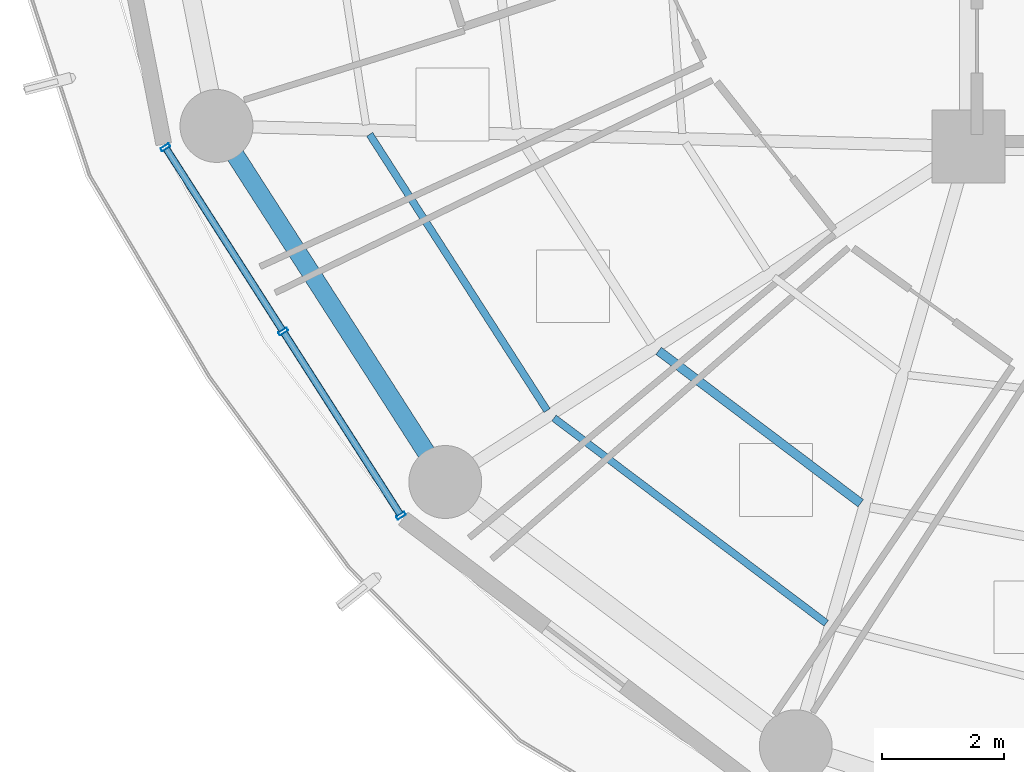
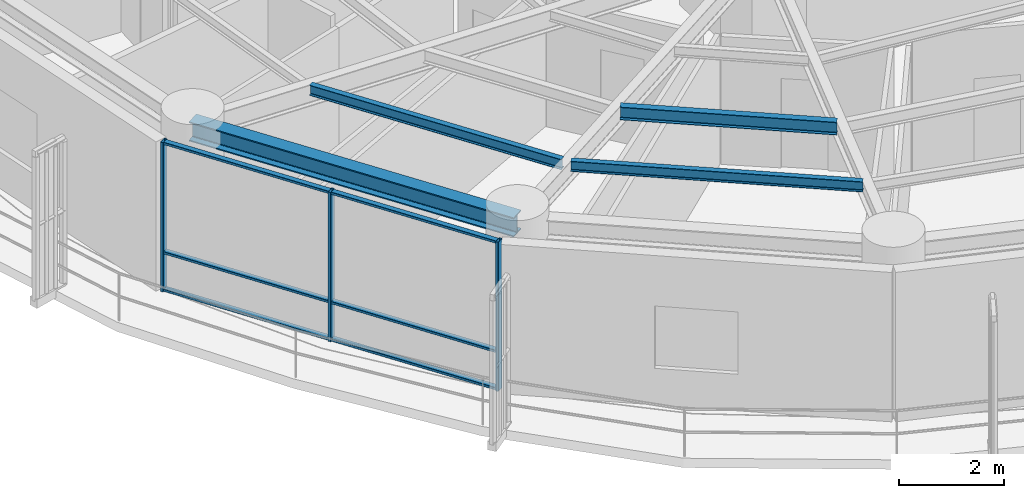
# One storey, part 2 of 28: 9 members, 4 beams, 1 element without a shape of its own.
"""IFC4 building model written with IfcOpenShell, lengths in metres."""

from ifc_helpers import new_model, si_unit, direction, frame, origin, origin_2d, place, context, subcontext, project, spatial, hollow_rectangle, i_section, extrude, material, layer, layer_set, material_profile, profile_set, type_object, element, aggregate, save


model = new_model("IFC4")

# Units and contexts
model_context = context("Model", 3, precision=1e-05, world=origin(), true_north=direction((0.0, 1.0)))
body_context = subcontext(model_context, "Body", "Model", "MODEL_VIEW")
ifc_project = project(units=[si_unit("LENGTHUNIT", "METRE"), si_unit("AREAUNIT", "SQUARE_METRE"), si_unit("VOLUMEUNIT", "CUBIC_METRE"), si_unit("PLANEANGLEUNIT", "RADIAN"), si_unit("MASSUNIT", "GRAM", prefix="KILO")], contexts=[model_context])

# Site, building, storey
site_placement = place(None, origin())
site = spatial("IfcSite", under=ifc_project, at=site_placement, CompositionType="ELEMENT")
building_placement = place(site_placement, origin())
building = spatial("IfcBuilding", under=site, at=building_placement, Name="Kelanora Arch Commons", CompositionType="ELEMENT")
storey_placement = place(building_placement, frame((0.0, 0.0, 180.60009765625)))
storey = spatial("IfcBuildingStorey", under=building, at=storey_placement, Name="L46", CompositionType="ELEMENT", Elevation=180.60009765625)

# Beams
ifc_material_1 = material(Name="Steel S355", Category="steel")
ifc_material_profile_1 = material_profile(ifc_material_1, i_section(OverallWidth=0.14990234375, OverallDepth=0.300048828125, WebThickness=0.007080078125, FlangeThickness=0.0107421875, FilletRadius=0.014892578125, at=origin_2d()), Name="IPE300")
ifc_profile_set_1 = profile_set([ifc_material_profile_1], Name="Steel S355")
beam_type_1 = type_object("IfcBeamType", Name="BM-JST-01", PredefinedType="JOIST", material=ifc_profile_set_1)
beam_1_placement = place(storey_placement, frame((60.9033203125, 47.635986328125, 3.33984375), z_axis=(0.798463547891, -0.602043156833, 0.0), x_axis=(0.602043156833, 0.798463547891, 0.0)))
element("IfcBeam", 1, at=beam_1_placement, inside=storey, type_object=beam_type_1, Name="Secondary Chord Joist BJB-22 L46", PredefinedType="JOIST", context=body_context, shape_type="SweptSolid", body=[
    extrude(i_section(OverallWidth=0.14990234375, OverallDepth=0.300048828125, WebThickness=0.007080078125, FlangeThickness=0.0107421875, FilletRadius=0.014892578125, at=origin_2d()), origin(), (0.0, 0.0, 1.0), 4.163818359375),
])
ifc_material_profile_2 = material_profile(ifc_material_1, i_section(OverallWidth=0.1201171875, OverallDepth=0.239990234375, WebThickness=0.006103515625, FlangeThickness=0.009765625, FilletRadius=0.014892578125, at=origin_2d()), Name="IPE240")
ifc_profile_set_2 = profile_set([ifc_material_profile_2], Name="Steel S355")
beam_type_2 = type_object("IfcBeamType", Name="BM-JST-02", PredefinedType="JOIST", material=ifc_profile_set_2)
beam_2_placement = place(storey_placement, frame((56.14794921875, 51.198486328125, 3.369873046875), z_axis=(0.540581678156, -0.841291536414, 0.0), x_axis=(0.841291536414, 0.540581678156, 0.0)))
element("IfcBeam", 2, at=beam_2_placement, inside=storey, type_object=beam_type_2, Name="Secondary Chord Joist BJC-20 L46", PredefinedType="JOIST", context=body_context, shape_type="SweptSolid", body=[
    extrude(i_section(OverallWidth=0.1201171875, OverallDepth=0.239990234375, WebThickness=0.006103515625, FlangeThickness=0.009765625, FilletRadius=0.014892578125, at=origin_2d()), origin(), (0.0, 0.0, 1.0), 5.4013671875),
])
beam_3_placement = place(storey_placement, frame((59.181640625, 46.531494140625, 3.369873046875), z_axis=(0.798493128577, -0.602003923256, 0.0), x_axis=(0.602003923256, 0.798493128577, 0.0)))
element("IfcBeam", 3, at=beam_3_placement, inside=storey, type_object=beam_type_2, Name="Secondary Chord Joist BJC-22 L46", PredefinedType="JOIST", context=body_context, shape_type="SweptSolid", body=[
    extrude(i_section(OverallWidth=0.1201171875, OverallDepth=0.239990234375, WebThickness=0.006103515625, FlangeThickness=0.009765625, FilletRadius=0.014892578125, at=origin_2d()), origin(), (0.0, 0.0, 1.0), 5.608642578125),
])
ifc_material_profile_3 = material_profile(ifc_material_1, i_section(OverallWidth=0.300048828125, OverallDepth=0.449951171875, WebThickness=0.013916015625, FlangeThickness=0.02587890625, FilletRadius=0.027099609375, at=origin_2d()), Name="HEB450")
ifc_profile_set_3 = profile_set([ifc_material_profile_3], Name="Steel S355")
beam_type_3 = type_object("IfcBeamType", Name="BM-SPN-Z3", PredefinedType="SPANDREL", material=ifc_profile_set_3)
beam_4_placement = place(storey_placement, frame((53.62744140625, 51.33740234375, 3.264892578125), z_axis=(0.540576852469, -0.841294637196, 0.0), x_axis=(0.841294637196, 0.540576852469, 0.0)))
element("IfcBeam", 4, at=beam_4_placement, inside=storey, type_object=beam_type_3, Name="Perimeter Spandrel Beam BS-20 L46", PredefinedType="SPANDREL", context=body_context, shape_type="SweptSolid", body=[
    extrude(i_section(OverallWidth=0.300048828125, OverallDepth=0.449951171875, WebThickness=0.013916015625, FlangeThickness=0.02587890625, FilletRadius=0.027099609375, at=origin_2d()), origin(), (0.0, 0.0, 1.0), 6.964111328125),
])

# Curtain wall, members
ifc_material_2 = material(Name="Terracotta ceramic-fritted low-E glass and aluminium", Category="masonry")
ifc_layer = layer(ifc_material_2, 0.175048828125)
ifc_layer_set = layer_set([ifc_layer], Name="Terracotta ceramic-fritted low-E glass and aluminium")
curtain_wall_type = type_object("IfcCurtainWallType", Name="CW-SYS-02", PredefinedType="NOTDEFINED", material=ifc_layer_set)
curtain_wall_placement = place(storey_placement, origin())
curtain_wall = element("IfcCurtainWall", 5, at=curtain_wall_placement, inside=storey, type_object=curtain_wall_type, Name="Unitised Curtain Wall L46-B10", PredefinedType="NOTDEFINED")
ifc_material_3 = material(Name="Powder-coated aluminium terracotta", Category="masonry")
ifc_material_profile_4 = material_profile(ifc_material_3, hollow_rectangle(XDim=0.159912109375, YDim=0.06005859375, WallThickness=0.0048828125, InnerFilletRadius=0.0048828125, OuterFilletRadius=0.010009765625, at=origin_2d()), Name="CWM160x60")
ifc_profile_set_4 = profile_set([ifc_material_profile_4], Name="Powder-coated aluminium terracotta")
member_type_1 = type_object("IfcMemberType", Name="CWM-STD", PredefinedType="MULLION", material=ifc_profile_set_4)
member_1_placement = place(storey_placement, frame((52.787109375, 50.98486328125, 0.0), z_axis=(0.0, 0.0, 1.0), x_axis=(0.842422846546, 0.538816988983, 0.0)))
member_1 = element("IfcMember", 6, at=member_1_placement, type_object=member_type_1, Name="CW-02 mullion 1", PredefinedType="MULLION", context=body_context, shape_type="SweptSolid", body=[
    extrude(hollow_rectangle(XDim=0.159912109375, YDim=0.06005859375, WallThickness=0.0048828125, InnerFilletRadius=0.0048828125, OuterFilletRadius=0.010009765625, at=origin_2d()), origin(), (0.0, 0.0, 1.0), 3.474853515625),
])
member_2_placement = place(storey_placement, frame((54.72509765625, 47.954833984375, 0.0), z_axis=(0.0, 0.0, 1.0), x_axis=(0.842422846546, 0.538816988983, 0.0)))
member_2 = element("IfcMember", 7, at=member_2_placement, type_object=member_type_1, Name="CW-02 mullion 2", PredefinedType="MULLION", context=body_context, shape_type="SweptSolid", body=[
    extrude(hollow_rectangle(XDim=0.159912109375, YDim=0.06005859375, WallThickness=0.0048828125, InnerFilletRadius=0.0048828125, OuterFilletRadius=0.010009765625, at=origin_2d()), origin(), (0.0, 0.0, 1.0), 3.474853515625),
])
member_3_placement = place(storey_placement, frame((56.6630859375, 44.925048828125, 0.0), z_axis=(0.0, 0.0, 1.0), x_axis=(0.842422846546, 0.538816988983, 0.0)))
member_3 = element("IfcMember", 8, at=member_3_placement, type_object=member_type_1, Name="CW-02 mullion 3", PredefinedType="MULLION", context=body_context, shape_type="SweptSolid", body=[
    extrude(hollow_rectangle(XDim=0.159912109375, YDim=0.06005859375, WallThickness=0.0048828125, InnerFilletRadius=0.0048828125, OuterFilletRadius=0.010009765625, at=origin_2d()), origin(), (0.0, 0.0, 1.0), 3.474853515625),
])
ifc_material_profile_5 = material_profile(ifc_material_3, hollow_rectangle(XDim=0.1201171875, YDim=0.06005859375, WallThickness=0.0048828125, InnerFilletRadius=0.0048828125, OuterFilletRadius=0.010009765625, at=origin_2d()), Name="CWT120x60")
ifc_profile_set_5 = profile_set([ifc_material_profile_5], Name="Powder-coated aluminium terracotta")
member_type_2 = type_object("IfcMemberType", Name="CWT-STD", PredefinedType="USERDEFINED", material=ifc_profile_set_5)
member_4_placement = place(storey_placement, frame((52.80322265625, 50.959716796875, 0.02978515625), z_axis=(0.53883037555, -0.842414284295, 0.0), x_axis=(0.842414284295, 0.53883037555, 0.0)))
member_4 = element("IfcMember", 9, at=member_4_placement, type_object=member_type_2, Name="CW-02 transom 1.1", ObjectType="TRANSOM", PredefinedType="USERDEFINED", context=body_context, shape_type="SweptSolid", body=[
    extrude(hollow_rectangle(XDim=0.1201171875, YDim=0.06005859375, WallThickness=0.0048828125, InnerFilletRadius=0.0048828125, OuterFilletRadius=0.010009765625, at=origin_2d()), origin(), (0.0, 0.0, 1.0), 3.536865234375),
])
member_5_placement = place(storey_placement, frame((52.80322265625, 50.959716796875, 0.89990234375), z_axis=(0.53883037555, -0.842414284295, 0.0), x_axis=(0.842414284295, 0.53883037555, 0.0)))
member_5 = element("IfcMember", 10, at=member_5_placement, type_object=member_type_2, Name="CW-02 transom 1.2", ObjectType="TRANSOM", PredefinedType="USERDEFINED", context=body_context, shape_type="SweptSolid", body=[
    extrude(hollow_rectangle(XDim=0.1201171875, YDim=0.06005859375, WallThickness=0.0048828125, InnerFilletRadius=0.0048828125, OuterFilletRadius=0.010009765625, at=origin_2d()), origin(), (0.0, 0.0, 1.0), 3.536865234375),
])
member_6_placement = place(storey_placement, frame((52.80322265625, 50.959716796875, 3.44482421875), z_axis=(0.53883037555, -0.842414284295, 0.0), x_axis=(0.842414284295, 0.53883037555, 0.0)))
member_6 = element("IfcMember", 11, at=member_6_placement, type_object=member_type_2, Name="CW-02 transom 1.3", ObjectType="TRANSOM", PredefinedType="USERDEFINED", context=body_context, shape_type="SweptSolid", body=[
    extrude(hollow_rectangle(XDim=0.1201171875, YDim=0.06005859375, WallThickness=0.0048828125, InnerFilletRadius=0.0048828125, OuterFilletRadius=0.010009765625, at=origin_2d()), origin(), (0.0, 0.0, 1.0), 3.536865234375),
])
member_7_placement = place(storey_placement, frame((54.7412109375, 47.9296875, 0.02978515625), z_axis=(0.53883037555, -0.842414284295, 0.0), x_axis=(0.842414284295, 0.53883037555, 0.0)))
member_7 = element("IfcMember", 12, at=member_7_placement, type_object=member_type_2, Name="CW-02 transom 2.1", ObjectType="TRANSOM", PredefinedType="USERDEFINED", context=body_context, shape_type="SweptSolid", body=[
    extrude(hollow_rectangle(XDim=0.1201171875, YDim=0.06005859375, WallThickness=0.0048828125, InnerFilletRadius=0.0048828125, OuterFilletRadius=0.010009765625, at=origin_2d()), origin(), (0.0, 0.0, 1.0), 3.536865234375),
])
member_8_placement = place(storey_placement, frame((54.7412109375, 47.9296875, 0.89990234375), z_axis=(0.53883037555, -0.842414284295, 0.0), x_axis=(0.842414284295, 0.53883037555, 0.0)))
member_8 = element("IfcMember", 13, at=member_8_placement, type_object=member_type_2, Name="CW-02 transom 2.2", ObjectType="TRANSOM", PredefinedType="USERDEFINED", context=body_context, shape_type="SweptSolid", body=[
    extrude(hollow_rectangle(XDim=0.1201171875, YDim=0.06005859375, WallThickness=0.0048828125, InnerFilletRadius=0.0048828125, OuterFilletRadius=0.010009765625, at=origin_2d()), origin(), (0.0, 0.0, 1.0), 3.536865234375),
])
member_9_placement = place(storey_placement, frame((54.7412109375, 47.9296875, 3.44482421875), z_axis=(0.53883037555, -0.842414284295, 0.0), x_axis=(0.842414284295, 0.53883037555, 0.0)))
member_9 = element("IfcMember", 14, at=member_9_placement, type_object=member_type_2, Name="CW-02 transom 2.3", ObjectType="TRANSOM", PredefinedType="USERDEFINED", context=body_context, shape_type="SweptSolid", body=[
    extrude(hollow_rectangle(XDim=0.1201171875, YDim=0.06005859375, WallThickness=0.0048828125, InnerFilletRadius=0.0048828125, OuterFilletRadius=0.010009765625, at=origin_2d()), origin(), (0.0, 0.0, 1.0), 3.536865234375),
])
aggregate(curtain_wall, [member_1, member_2, member_3, member_4, member_5, member_6, member_7, member_8, member_9])

save(model, "model.ifc")
